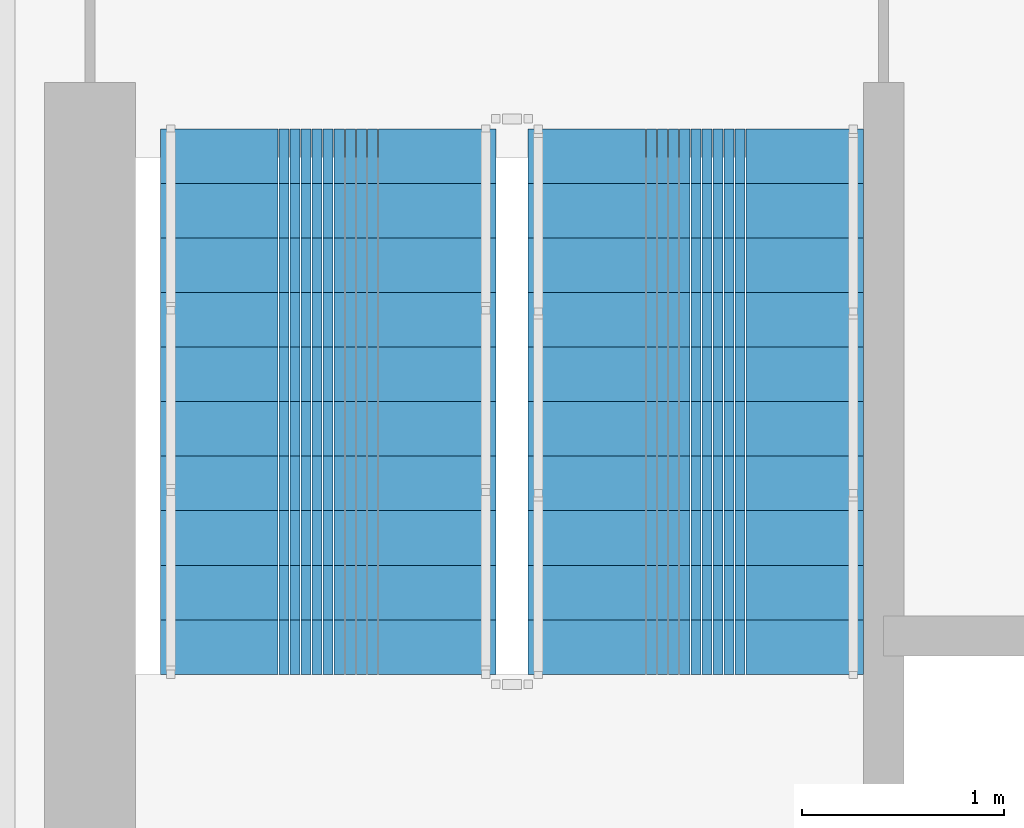
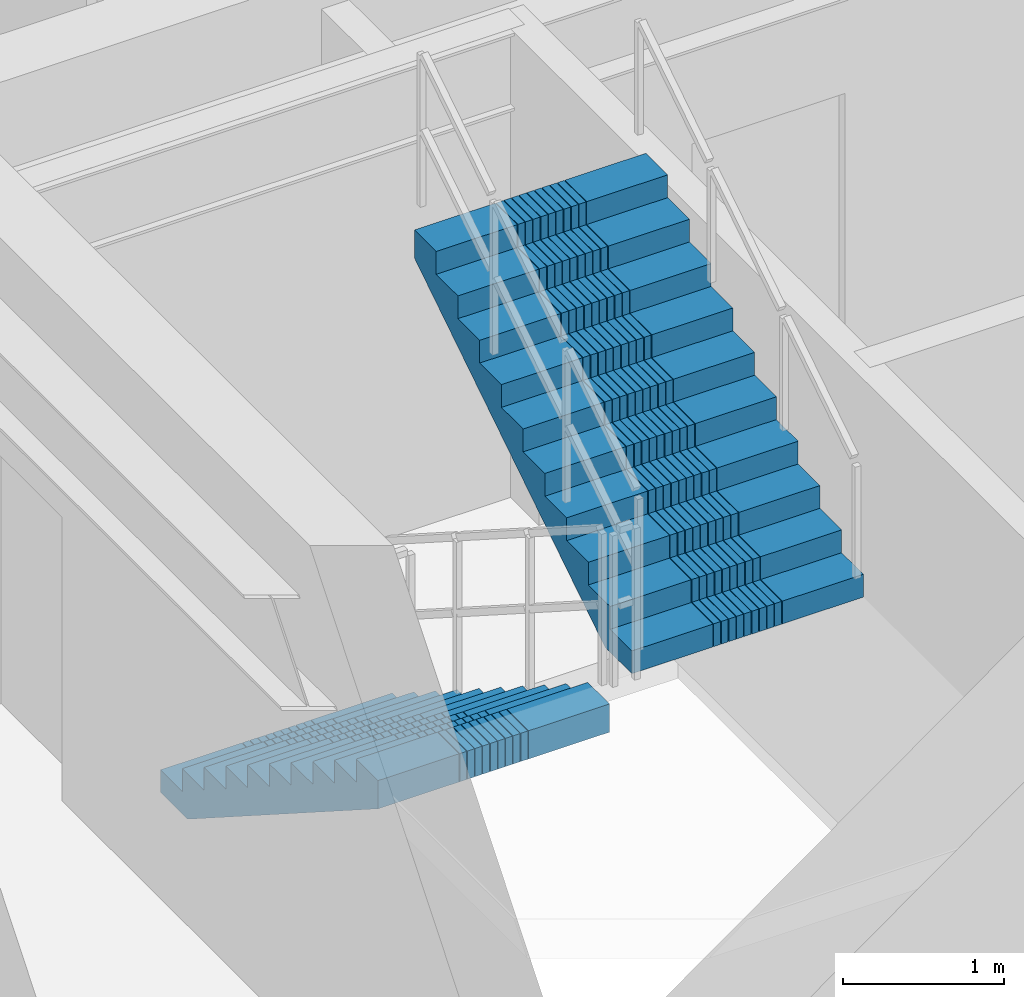
# One storey, part 21 of 24: 2 stair flights, 1 element without a shape of its own.
"""IFC4 building model written with IfcOpenShell, lengths in metres."""

from ifc_helpers import new_model, si_unit, direction, frame, origin, place, context, subcontext, project, spatial, polyline, outline, extrude, material, type_object, element, aggregate, save


model = new_model("IFC4")

# Units and contexts
model_context = context("Model", 3, precision=1e-05, world=origin(), true_north=direction((0.0, 1.0)))
body_context = subcontext(model_context, "Body", "Model", "MODEL_VIEW")
ifc_project = project(units=[si_unit("LENGTHUNIT", "METRE"), si_unit("AREAUNIT", "SQUARE_METRE"), si_unit("VOLUMEUNIT", "CUBIC_METRE"), si_unit("PLANEANGLEUNIT", "RADIAN"), si_unit("MASSUNIT", "GRAM", prefix="KILO")], contexts=[model_context])

# Site, building, storey
site_placement = place(None, origin())
site = spatial("IfcSite", under=ifc_project, at=site_placement, CompositionType="ELEMENT")
building_placement = place(site_placement, origin())
building = spatial("IfcBuilding", under=site, at=building_placement, Name="Saelheon Loggia Tower", CompositionType="ELEMENT")
storey_placement = place(building_placement, frame((0.0, 0.0, 252.199951171875)))
storey = spatial("IfcBuildingStorey", under=building, at=storey_placement, Name="CR1", CompositionType="ELEMENT", Elevation=252.199951171875)

# Stair, stair flights
ifc_material = material(Name="Concrete C40/50", Category="concrete")
stair_type = type_object("IfcStairType", Name="Stair_Plant_Crown", PredefinedType="HALF_TURN_STAIR", material=ifc_material)
stair_placement = place(storey_placement, origin())
stair = element("IfcStair", 1, at=stair_placement, inside=storey, type_object=stair_type, Name="CR1 Crown Plant Stair ST5", PredefinedType="HALF_TURN_STAIR")
stair_flight_type = type_object("IfcStairFlightType", Name="StairFlight_Crown_1520", PredefinedType="STRAIGHT", material=ifc_material)
stair_flight_1_placement = place(storey_placement, frame((32.679931640625, 23.570068359375, 0.0), z_axis=(0.0, 0.0, 1.0), x_axis=(0.0, -1.0, 0.0)))
stair_flight_1 = element("IfcStairFlight", 2, at=stair_flight_1_placement, type_object=stair_flight_type, Name="ST5 flight 1", NumberOfRisers=11, NumberOfTreads=10, PredefinedType="STRAIGHT", RiserHeight=0.172727273, TreadLength=0.27, context=body_context, shape_type="SweptSolid", body=[
    extrude(outline(polyline([(0.0, 0.0), (0.0, 0.172607421875), (0.27001953125, 0.172607421875), (0.27001953125, 0.345458984375), (0.5400390625, 0.345458984375), (0.5400390625, 0.51806640625), (0.81005859375, 0.51806640625), (0.81005859375, 0.69091796875), (1.080078125, 0.69091796875), (1.080078125, 0.863525390625), (1.35009765625, 0.863525390625), (1.35009765625, 1.036376953125), (1.6201171875, 1.036376953125), (1.6201171875, 1.208984375), (1.889892578125, 1.208984375), (1.889892578125, 1.3818359375), (2.159912109375, 1.3818359375), (2.159912109375, 1.554443359375), (2.429931640625, 1.554443359375), (2.429931640625, 1.727294921875), (2.699951171875, 1.727294921875), (2.699951171875, 1.89990234375), (2.699951171875, 1.513671875), (0.333984375, 0.0), (0.0, 0.0)])), frame((0.0, -0.2490234375, 0.0), z_axis=(0.0, -1.0, 0.0), x_axis=(1.0, 0.0, 0.0)), (0.0, 0.0, 1.0), 0.5810546875),
    extrude(outline(polyline([(0.0, 0.0), (0.0, 0.172607421875), (0.27001953125, 0.172607421875), (0.27001953125, 0.345458984375), (0.5400390625, 0.345458984375), (0.5400390625, 0.51806640625), (0.81005859375, 0.51806640625), (0.81005859375, 0.69091796875), (1.080078125, 0.69091796875), (1.080078125, 0.863525390625), (1.35009765625, 0.863525390625), (1.35009765625, 1.036376953125), (1.6201171875, 1.036376953125), (1.6201171875, 1.208984375), (1.889892578125, 1.208984375), (1.889892578125, 1.3818359375), (2.159912109375, 1.3818359375), (2.159912109375, 1.554443359375), (2.429931640625, 1.554443359375), (2.429931640625, 1.727294921875), (2.699951171875, 1.727294921875), (2.699951171875, 1.89990234375), (2.699951171875, 1.513671875), (0.333984375, 0.0), (0.0, 0.0)])), frame((0.0, -0.194091796875, 0.0), z_axis=(0.0, -1.0, 0.0), x_axis=(1.0, 0.0, 0.0)), (0.0, 0.0, 1.0), 0.0498046875),
    extrude(outline(polyline([(0.0, 0.0), (0.0, 0.172607421875), (0.27001953125, 0.172607421875), (0.27001953125, 0.345458984375), (0.5400390625, 0.345458984375), (0.5400390625, 0.51806640625), (0.81005859375, 0.51806640625), (0.81005859375, 0.69091796875), (1.080078125, 0.69091796875), (1.080078125, 0.863525390625), (1.35009765625, 0.863525390625), (1.35009765625, 1.036376953125), (1.6201171875, 1.036376953125), (1.6201171875, 1.208984375), (1.889892578125, 1.208984375), (1.889892578125, 1.3818359375), (2.159912109375, 1.3818359375), (2.159912109375, 1.554443359375), (2.429931640625, 1.554443359375), (2.429931640625, 1.727294921875), (2.699951171875, 1.727294921875), (2.699951171875, 1.89990234375), (2.699951171875, 1.513671875), (0.333984375, 0.0), (0.0, 0.0)])), frame((0.0, -0.139404296875, 0.0), z_axis=(0.0, -1.0, 0.0), x_axis=(1.0, 0.0, 0.0)), (0.0, 0.0, 1.0), 0.0498046875),
    extrude(outline(polyline([(0.0, 0.0), (0.0, 0.172607421875), (0.27001953125, 0.172607421875), (0.27001953125, 0.345458984375), (0.5400390625, 0.345458984375), (0.5400390625, 0.51806640625), (0.81005859375, 0.51806640625), (0.81005859375, 0.69091796875), (1.080078125, 0.69091796875), (1.080078125, 0.863525390625), (1.35009765625, 0.863525390625), (1.35009765625, 1.036376953125), (1.6201171875, 1.036376953125), (1.6201171875, 1.208984375), (1.889892578125, 1.208984375), (1.889892578125, 1.3818359375), (2.159912109375, 1.3818359375), (2.159912109375, 1.554443359375), (2.429931640625, 1.554443359375), (2.429931640625, 1.727294921875), (2.699951171875, 1.727294921875), (2.699951171875, 1.89990234375), (2.699951171875, 1.513671875), (0.333984375, 0.0), (0.0, 0.0)])), frame((0.0, -0.084716796875, 0.0), z_axis=(0.0, -1.0, 0.0), x_axis=(1.0, 0.0, 0.0)), (0.0, 0.0, 1.0), 0.0498046875),
    extrude(outline(polyline([(0.0, 0.0), (0.0, 0.172607421875), (0.27001953125, 0.172607421875), (0.27001953125, 0.345458984375), (0.5400390625, 0.345458984375), (0.5400390625, 0.51806640625), (0.81005859375, 0.51806640625), (0.81005859375, 0.69091796875), (1.080078125, 0.69091796875), (1.080078125, 0.863525390625), (1.35009765625, 0.863525390625), (1.35009765625, 1.036376953125), (1.6201171875, 1.036376953125), (1.6201171875, 1.208984375), (1.889892578125, 1.208984375), (1.889892578125, 1.3818359375), (2.159912109375, 1.3818359375), (2.159912109375, 1.554443359375), (2.429931640625, 1.554443359375), (2.429931640625, 1.727294921875), (2.699951171875, 1.727294921875), (2.699951171875, 1.89990234375), (2.699951171875, 1.513671875), (0.333984375, 0.0), (0.0, 0.0)])), frame((0.0, -0.02978515625, 0.0), z_axis=(0.0, -1.0, 0.0), x_axis=(1.0, 0.0, 0.0)), (0.0, 0.0, 1.0), 0.0498046875),
    extrude(outline(polyline([(0.0, 0.0), (0.0, 0.172607421875), (0.27001953125, 0.172607421875), (0.27001953125, 0.345458984375), (0.5400390625, 0.345458984375), (0.5400390625, 0.51806640625), (0.81005859375, 0.51806640625), (0.81005859375, 0.69091796875), (1.080078125, 0.69091796875), (1.080078125, 0.863525390625), (1.35009765625, 0.863525390625), (1.35009765625, 1.036376953125), (1.6201171875, 1.036376953125), (1.6201171875, 1.208984375), (1.889892578125, 1.208984375), (1.889892578125, 1.3818359375), (2.159912109375, 1.3818359375), (2.159912109375, 1.554443359375), (2.429931640625, 1.554443359375), (2.429931640625, 1.727294921875), (2.699951171875, 1.727294921875), (2.699951171875, 1.89990234375), (2.699951171875, 1.513671875), (0.333984375, 0.0), (0.0, 0.0)])), frame((0.0, 0.02490234375, 0.0), z_axis=(0.0, -1.0, 0.0), x_axis=(1.0, 0.0, 0.0)), (0.0, 0.0, 1.0), 0.0498046875),
    extrude(outline(polyline([(0.0, 0.0), (0.0, 0.172607421875), (0.27001953125, 0.172607421875), (0.27001953125, 0.345458984375), (0.5400390625, 0.345458984375), (0.5400390625, 0.51806640625), (0.81005859375, 0.51806640625), (0.81005859375, 0.69091796875), (1.080078125, 0.69091796875), (1.080078125, 0.863525390625), (1.35009765625, 0.863525390625), (1.35009765625, 1.036376953125), (1.6201171875, 1.036376953125), (1.6201171875, 1.208984375), (1.889892578125, 1.208984375), (1.889892578125, 1.3818359375), (2.159912109375, 1.3818359375), (2.159912109375, 1.554443359375), (2.429931640625, 1.554443359375), (2.429931640625, 1.727294921875), (2.699951171875, 1.727294921875), (2.699951171875, 1.89990234375), (2.699951171875, 1.513671875), (0.333984375, 0.0), (0.0, 0.0)])), frame((0.0, 0.07958984375, 0.0), z_axis=(0.0, -1.0, 0.0), x_axis=(1.0, 0.0, 0.0)), (0.0, 0.0, 1.0), 0.0498046875),
    extrude(outline(polyline([(0.0, 0.0), (0.0, 0.172607421875), (0.27001953125, 0.172607421875), (0.27001953125, 0.345458984375), (0.5400390625, 0.345458984375), (0.5400390625, 0.51806640625), (0.81005859375, 0.51806640625), (0.81005859375, 0.69091796875), (1.080078125, 0.69091796875), (1.080078125, 0.863525390625), (1.35009765625, 0.863525390625), (1.35009765625, 1.036376953125), (1.6201171875, 1.036376953125), (1.6201171875, 1.208984375), (1.889892578125, 1.208984375), (1.889892578125, 1.3818359375), (2.159912109375, 1.3818359375), (2.159912109375, 1.554443359375), (2.429931640625, 1.554443359375), (2.429931640625, 1.727294921875), (2.699951171875, 1.727294921875), (2.699951171875, 1.89990234375), (2.699951171875, 1.513671875), (0.333984375, 0.0), (0.0, 0.0)])), frame((0.0, 0.134521484375, 0.0), z_axis=(0.0, -1.0, 0.0), x_axis=(1.0, 0.0, 0.0)), (0.0, 0.0, 1.0), 0.0498046875),
    extrude(outline(polyline([(0.0, 0.0), (0.0, 0.172607421875), (0.27001953125, 0.172607421875), (0.27001953125, 0.345458984375), (0.5400390625, 0.345458984375), (0.5400390625, 0.51806640625), (0.81005859375, 0.51806640625), (0.81005859375, 0.69091796875), (1.080078125, 0.69091796875), (1.080078125, 0.863525390625), (1.35009765625, 0.863525390625), (1.35009765625, 1.036376953125), (1.6201171875, 1.036376953125), (1.6201171875, 1.208984375), (1.889892578125, 1.208984375), (1.889892578125, 1.3818359375), (2.159912109375, 1.3818359375), (2.159912109375, 1.554443359375), (2.429931640625, 1.554443359375), (2.429931640625, 1.727294921875), (2.699951171875, 1.727294921875), (2.699951171875, 1.89990234375), (2.699951171875, 1.513671875), (0.333984375, 0.0), (0.0, 0.0)])), frame((0.0, 0.189208984375, 0.0), z_axis=(0.0, -1.0, 0.0), x_axis=(1.0, 0.0, 0.0)), (0.0, 0.0, 1.0), 0.0498046875),
    extrude(outline(polyline([(0.0, 0.0), (0.0, 0.172607421875), (0.27001953125, 0.172607421875), (0.27001953125, 0.345458984375), (0.5400390625, 0.345458984375), (0.5400390625, 0.51806640625), (0.81005859375, 0.51806640625), (0.81005859375, 0.69091796875), (1.080078125, 0.69091796875), (1.080078125, 0.863525390625), (1.35009765625, 0.863525390625), (1.35009765625, 1.036376953125), (1.6201171875, 1.036376953125), (1.6201171875, 1.208984375), (1.889892578125, 1.208984375), (1.889892578125, 1.3818359375), (2.159912109375, 1.3818359375), (2.159912109375, 1.554443359375), (2.429931640625, 1.554443359375), (2.429931640625, 1.727294921875), (2.699951171875, 1.727294921875), (2.699951171875, 1.89990234375), (2.699951171875, 1.513671875), (0.333984375, 0.0), (0.0, 0.0)])), frame((0.0, 0.243896484375, 0.0), z_axis=(0.0, -1.0, 0.0), x_axis=(1.0, 0.0, 0.0)), (0.0, 0.0, 1.0), 0.0498046875),
    extrude(outline(polyline([(0.0, 0.0), (0.0, 0.172607421875), (0.27001953125, 0.172607421875), (0.27001953125, 0.345458984375), (0.5400390625, 0.345458984375), (0.5400390625, 0.51806640625), (0.81005859375, 0.51806640625), (0.81005859375, 0.69091796875), (1.080078125, 0.69091796875), (1.080078125, 0.863525390625), (1.35009765625, 0.863525390625), (1.35009765625, 1.036376953125), (1.6201171875, 1.036376953125), (1.6201171875, 1.208984375), (1.889892578125, 1.208984375), (1.889892578125, 1.3818359375), (2.159912109375, 1.3818359375), (2.159912109375, 1.554443359375), (2.429931640625, 1.554443359375), (2.429931640625, 1.727294921875), (2.699951171875, 1.727294921875), (2.699951171875, 1.89990234375), (2.699951171875, 1.513671875), (0.333984375, 0.0), (0.0, 0.0)])), frame((0.0, 0.830078125, 0.0), z_axis=(0.0, -1.0, 0.0), x_axis=(1.0, 0.0, 0.0)), (0.0, 0.0, 1.0), 0.5810546875),
])
stair_flight_2_placement = place(storey_placement, frame((34.5, 20.8701171875, 1.900146484375), z_axis=(0.0, 0.0, 1.0), x_axis=(0.0, 1.0, 0.0)))
stair_flight_2 = element("IfcStairFlight", 3, at=stair_flight_2_placement, type_object=stair_flight_type, Name="ST5 flight 2", NumberOfRisers=11, NumberOfTreads=10, PredefinedType="STRAIGHT", RiserHeight=0.172727273, TreadLength=0.27, context=body_context, shape_type="SweptSolid", body=[
    extrude(outline(polyline([(0.0, 0.0), (0.0, 0.172607421875), (0.27001953125, 0.172607421875), (0.27001953125, 0.345458984375), (0.5400390625, 0.345458984375), (0.5400390625, 0.51806640625), (0.81005859375, 0.51806640625), (0.81005859375, 0.69091796875), (1.080078125, 0.69091796875), (1.080078125, 0.863525390625), (1.35009765625, 0.863525390625), (1.35009765625, 1.036376953125), (1.6201171875, 1.036376953125), (1.6201171875, 1.208984375), (1.889892578125, 1.208984375), (1.889892578125, 1.3818359375), (2.159912109375, 1.3818359375), (2.159912109375, 1.554443359375), (2.429931640625, 1.554443359375), (2.429931640625, 1.727294921875), (2.699951171875, 1.727294921875), (2.699951171875, 1.89990234375), (2.699951171875, 1.513671875), (0.333984375, 0.0), (0.0, 0.0)])), frame((0.0, -0.2490234375, 0.0), z_axis=(0.0, -1.0, 0.0), x_axis=(1.0, 0.0, 0.0)), (0.0, 0.0, 1.0), 0.5810546875),
    extrude(outline(polyline([(0.0, 0.0), (0.0, 0.172607421875), (0.27001953125, 0.172607421875), (0.27001953125, 0.345458984375), (0.5400390625, 0.345458984375), (0.5400390625, 0.51806640625), (0.81005859375, 0.51806640625), (0.81005859375, 0.69091796875), (1.080078125, 0.69091796875), (1.080078125, 0.863525390625), (1.35009765625, 0.863525390625), (1.35009765625, 1.036376953125), (1.6201171875, 1.036376953125), (1.6201171875, 1.208984375), (1.889892578125, 1.208984375), (1.889892578125, 1.3818359375), (2.159912109375, 1.3818359375), (2.159912109375, 1.554443359375), (2.429931640625, 1.554443359375), (2.429931640625, 1.727294921875), (2.699951171875, 1.727294921875), (2.699951171875, 1.89990234375), (2.699951171875, 1.513671875), (0.333984375, 0.0), (0.0, 0.0)])), frame((0.0, -0.194091796875, 0.0), z_axis=(0.0, -1.0, 0.0), x_axis=(1.0, 0.0, 0.0)), (0.0, 0.0, 1.0), 0.0498046875),
    extrude(outline(polyline([(0.0, 0.0), (0.0, 0.172607421875), (0.27001953125, 0.172607421875), (0.27001953125, 0.345458984375), (0.5400390625, 0.345458984375), (0.5400390625, 0.51806640625), (0.81005859375, 0.51806640625), (0.81005859375, 0.69091796875), (1.080078125, 0.69091796875), (1.080078125, 0.863525390625), (1.35009765625, 0.863525390625), (1.35009765625, 1.036376953125), (1.6201171875, 1.036376953125), (1.6201171875, 1.208984375), (1.889892578125, 1.208984375), (1.889892578125, 1.3818359375), (2.159912109375, 1.3818359375), (2.159912109375, 1.554443359375), (2.429931640625, 1.554443359375), (2.429931640625, 1.727294921875), (2.699951171875, 1.727294921875), (2.699951171875, 1.89990234375), (2.699951171875, 1.513671875), (0.333984375, 0.0), (0.0, 0.0)])), frame((0.0, -0.139404296875, 0.0), z_axis=(0.0, -1.0, 0.0), x_axis=(1.0, 0.0, 0.0)), (0.0, 0.0, 1.0), 0.0498046875),
    extrude(outline(polyline([(0.0, 0.0), (0.0, 0.172607421875), (0.27001953125, 0.172607421875), (0.27001953125, 0.345458984375), (0.5400390625, 0.345458984375), (0.5400390625, 0.51806640625), (0.81005859375, 0.51806640625), (0.81005859375, 0.69091796875), (1.080078125, 0.69091796875), (1.080078125, 0.863525390625), (1.35009765625, 0.863525390625), (1.35009765625, 1.036376953125), (1.6201171875, 1.036376953125), (1.6201171875, 1.208984375), (1.889892578125, 1.208984375), (1.889892578125, 1.3818359375), (2.159912109375, 1.3818359375), (2.159912109375, 1.554443359375), (2.429931640625, 1.554443359375), (2.429931640625, 1.727294921875), (2.699951171875, 1.727294921875), (2.699951171875, 1.89990234375), (2.699951171875, 1.513671875), (0.333984375, 0.0), (0.0, 0.0)])), frame((0.0, -0.084716796875, 0.0), z_axis=(0.0, -1.0, 0.0), x_axis=(1.0, 0.0, 0.0)), (0.0, 0.0, 1.0), 0.0498046875),
    extrude(outline(polyline([(0.0, 0.0), (0.0, 0.172607421875), (0.27001953125, 0.172607421875), (0.27001953125, 0.345458984375), (0.5400390625, 0.345458984375), (0.5400390625, 0.51806640625), (0.81005859375, 0.51806640625), (0.81005859375, 0.69091796875), (1.080078125, 0.69091796875), (1.080078125, 0.863525390625), (1.35009765625, 0.863525390625), (1.35009765625, 1.036376953125), (1.6201171875, 1.036376953125), (1.6201171875, 1.208984375), (1.889892578125, 1.208984375), (1.889892578125, 1.3818359375), (2.159912109375, 1.3818359375), (2.159912109375, 1.554443359375), (2.429931640625, 1.554443359375), (2.429931640625, 1.727294921875), (2.699951171875, 1.727294921875), (2.699951171875, 1.89990234375), (2.699951171875, 1.513671875), (0.333984375, 0.0), (0.0, 0.0)])), frame((0.0, -0.02978515625, 0.0), z_axis=(0.0, -1.0, 0.0), x_axis=(1.0, 0.0, 0.0)), (0.0, 0.0, 1.0), 0.0498046875),
    extrude(outline(polyline([(0.0, 0.0), (0.0, 0.172607421875), (0.27001953125, 0.172607421875), (0.27001953125, 0.345458984375), (0.5400390625, 0.345458984375), (0.5400390625, 0.51806640625), (0.81005859375, 0.51806640625), (0.81005859375, 0.69091796875), (1.080078125, 0.69091796875), (1.080078125, 0.863525390625), (1.35009765625, 0.863525390625), (1.35009765625, 1.036376953125), (1.6201171875, 1.036376953125), (1.6201171875, 1.208984375), (1.889892578125, 1.208984375), (1.889892578125, 1.3818359375), (2.159912109375, 1.3818359375), (2.159912109375, 1.554443359375), (2.429931640625, 1.554443359375), (2.429931640625, 1.727294921875), (2.699951171875, 1.727294921875), (2.699951171875, 1.89990234375), (2.699951171875, 1.513671875), (0.333984375, 0.0), (0.0, 0.0)])), frame((0.0, 0.02490234375, 0.0), z_axis=(0.0, -1.0, 0.0), x_axis=(1.0, 0.0, 0.0)), (0.0, 0.0, 1.0), 0.0498046875),
    extrude(outline(polyline([(0.0, 0.0), (0.0, 0.172607421875), (0.27001953125, 0.172607421875), (0.27001953125, 0.345458984375), (0.5400390625, 0.345458984375), (0.5400390625, 0.51806640625), (0.81005859375, 0.51806640625), (0.81005859375, 0.69091796875), (1.080078125, 0.69091796875), (1.080078125, 0.863525390625), (1.35009765625, 0.863525390625), (1.35009765625, 1.036376953125), (1.6201171875, 1.036376953125), (1.6201171875, 1.208984375), (1.889892578125, 1.208984375), (1.889892578125, 1.3818359375), (2.159912109375, 1.3818359375), (2.159912109375, 1.554443359375), (2.429931640625, 1.554443359375), (2.429931640625, 1.727294921875), (2.699951171875, 1.727294921875), (2.699951171875, 1.89990234375), (2.699951171875, 1.513671875), (0.333984375, 0.0), (0.0, 0.0)])), frame((0.0, 0.07958984375, 0.0), z_axis=(0.0, -1.0, 0.0), x_axis=(1.0, 0.0, 0.0)), (0.0, 0.0, 1.0), 0.0498046875),
    extrude(outline(polyline([(0.0, 0.0), (0.0, 0.172607421875), (0.27001953125, 0.172607421875), (0.27001953125, 0.345458984375), (0.5400390625, 0.345458984375), (0.5400390625, 0.51806640625), (0.81005859375, 0.51806640625), (0.81005859375, 0.69091796875), (1.080078125, 0.69091796875), (1.080078125, 0.863525390625), (1.35009765625, 0.863525390625), (1.35009765625, 1.036376953125), (1.6201171875, 1.036376953125), (1.6201171875, 1.208984375), (1.889892578125, 1.208984375), (1.889892578125, 1.3818359375), (2.159912109375, 1.3818359375), (2.159912109375, 1.554443359375), (2.429931640625, 1.554443359375), (2.429931640625, 1.727294921875), (2.699951171875, 1.727294921875), (2.699951171875, 1.89990234375), (2.699951171875, 1.513671875), (0.333984375, 0.0), (0.0, 0.0)])), frame((0.0, 0.134521484375, 0.0), z_axis=(0.0, -1.0, 0.0), x_axis=(1.0, 0.0, 0.0)), (0.0, 0.0, 1.0), 0.0498046875),
    extrude(outline(polyline([(0.0, 0.0), (0.0, 0.172607421875), (0.27001953125, 0.172607421875), (0.27001953125, 0.345458984375), (0.5400390625, 0.345458984375), (0.5400390625, 0.51806640625), (0.81005859375, 0.51806640625), (0.81005859375, 0.69091796875), (1.080078125, 0.69091796875), (1.080078125, 0.863525390625), (1.35009765625, 0.863525390625), (1.35009765625, 1.036376953125), (1.6201171875, 1.036376953125), (1.6201171875, 1.208984375), (1.889892578125, 1.208984375), (1.889892578125, 1.3818359375), (2.159912109375, 1.3818359375), (2.159912109375, 1.554443359375), (2.429931640625, 1.554443359375), (2.429931640625, 1.727294921875), (2.699951171875, 1.727294921875), (2.699951171875, 1.89990234375), (2.699951171875, 1.513671875), (0.333984375, 0.0), (0.0, 0.0)])), frame((0.0, 0.189208984375, 0.0), z_axis=(0.0, -1.0, 0.0), x_axis=(1.0, 0.0, 0.0)), (0.0, 0.0, 1.0), 0.0498046875),
    extrude(outline(polyline([(0.0, 0.0), (0.0, 0.172607421875), (0.27001953125, 0.172607421875), (0.27001953125, 0.345458984375), (0.5400390625, 0.345458984375), (0.5400390625, 0.51806640625), (0.81005859375, 0.51806640625), (0.81005859375, 0.69091796875), (1.080078125, 0.69091796875), (1.080078125, 0.863525390625), (1.35009765625, 0.863525390625), (1.35009765625, 1.036376953125), (1.6201171875, 1.036376953125), (1.6201171875, 1.208984375), (1.889892578125, 1.208984375), (1.889892578125, 1.3818359375), (2.159912109375, 1.3818359375), (2.159912109375, 1.554443359375), (2.429931640625, 1.554443359375), (2.429931640625, 1.727294921875), (2.699951171875, 1.727294921875), (2.699951171875, 1.89990234375), (2.699951171875, 1.513671875), (0.333984375, 0.0), (0.0, 0.0)])), frame((0.0, 0.243896484375, 0.0), z_axis=(0.0, -1.0, 0.0), x_axis=(1.0, 0.0, 0.0)), (0.0, 0.0, 1.0), 0.0498046875),
    extrude(outline(polyline([(0.0, 0.0), (0.0, 0.172607421875), (0.27001953125, 0.172607421875), (0.27001953125, 0.345458984375), (0.5400390625, 0.345458984375), (0.5400390625, 0.51806640625), (0.81005859375, 0.51806640625), (0.81005859375, 0.69091796875), (1.080078125, 0.69091796875), (1.080078125, 0.863525390625), (1.35009765625, 0.863525390625), (1.35009765625, 1.036376953125), (1.6201171875, 1.036376953125), (1.6201171875, 1.208984375), (1.889892578125, 1.208984375), (1.889892578125, 1.3818359375), (2.159912109375, 1.3818359375), (2.159912109375, 1.554443359375), (2.429931640625, 1.554443359375), (2.429931640625, 1.727294921875), (2.699951171875, 1.727294921875), (2.699951171875, 1.89990234375), (2.699951171875, 1.513671875), (0.333984375, 0.0), (0.0, 0.0)])), frame((0.0, 0.830078125, 0.0), z_axis=(0.0, -1.0, 0.0), x_axis=(1.0, 0.0, 0.0)), (0.0, 0.0, 1.0), 0.5810546875),
])
aggregate(stair, [stair_flight_1, stair_flight_2])

save(model, "model.ifc")
